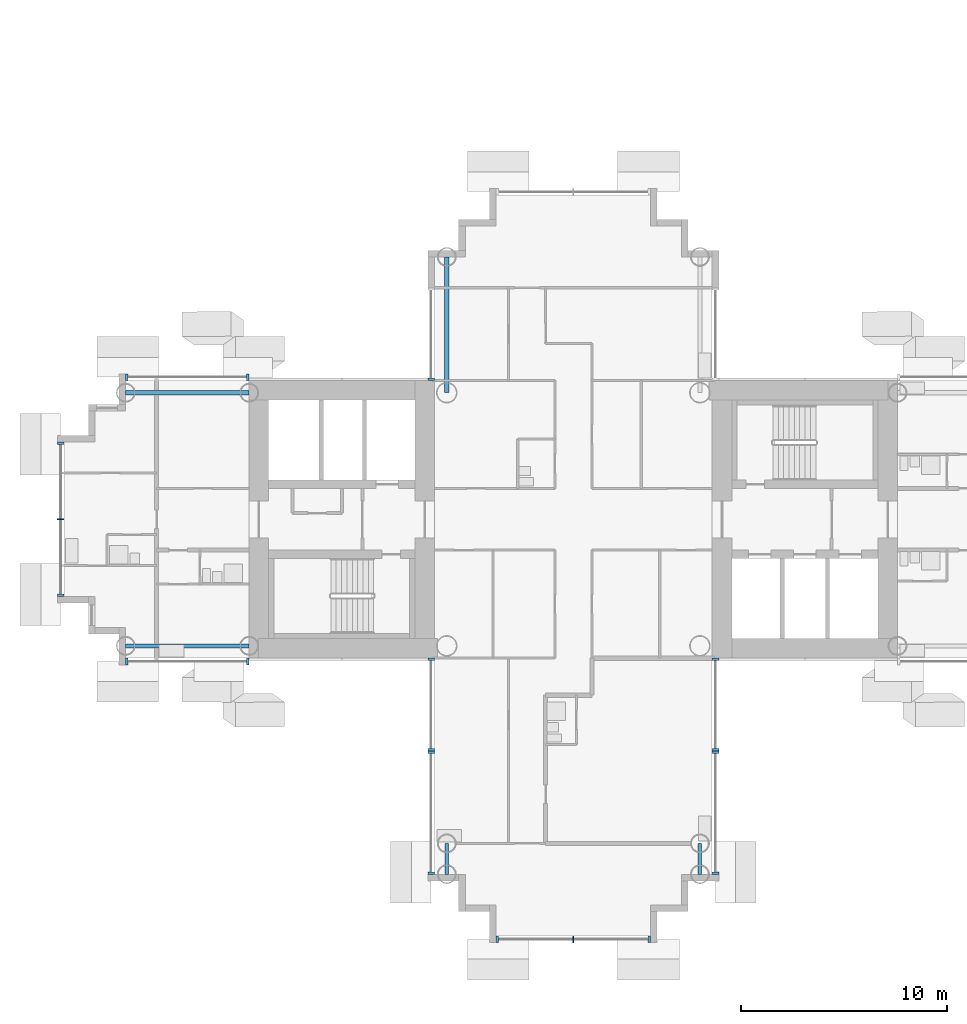
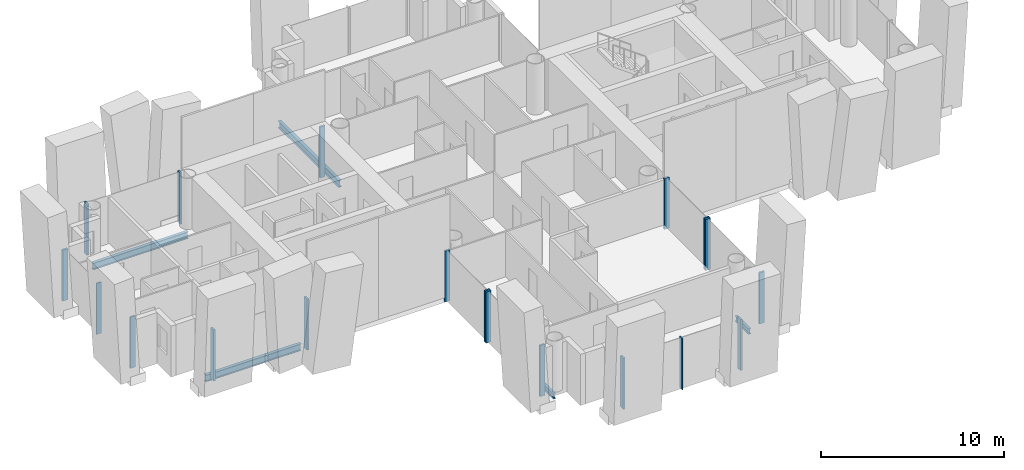
# One storey, part 3 of 21: 19 members, 5 beams, 9 elements without a shape of their own.
"""IFC4 building model written with IfcOpenShell, lengths in metres."""

from ifc_helpers import new_model, si_unit, direction, frame, origin, origin_2d, place, context, subcontext, project, spatial, rectangle, i_section, extrude, material, layer, layer_set, material_profile, profile_set, type_object, element, aggregate, save


model = new_model("IFC4")

# Units and contexts
model_context = context("Model", 3, precision=1e-05, world=origin(), true_north=direction((0.0, 1.0)))
body_context = subcontext(model_context, "Body", "Model", "MODEL_VIEW")
ifc_project = project(units=[si_unit("LENGTHUNIT", "METRE"), si_unit("AREAUNIT", "SQUARE_METRE"), si_unit("VOLUMEUNIT", "CUBIC_METRE"), si_unit("PLANEANGLEUNIT", "RADIAN"), si_unit("MASSUNIT", "GRAM", prefix="KILO")], contexts=[model_context])

# Site, building, storey
site_placement = place(None, origin())
site = spatial("IfcSite", under=ifc_project, at=site_placement, CompositionType="ELEMENT")
building_placement = place(site_placement, origin())
building = spatial("IfcBuilding", under=site, at=building_placement, Name="Ipe Terrace Towers", CompositionType="ELEMENT")
storey_placement = place(building_placement, frame((0.0, 0.0, 107.199951171875)))
storey = spatial("IfcBuildingStorey", under=building, at=storey_placement, Name="L29", CompositionType="ELEMENT", Elevation=107.199951171875)

# Beams
ifc_material_1 = material(Name="Steel S355", Category="steel")
ifc_material_profile_1 = material_profile(ifc_material_1, i_section(OverallWidth=0.175048828125, OverallDepth=0.35009765625, WebThickness=0.007080078125, FlangeThickness=0.010986328125, at=origin_2d()), Name="H-350x175x7x11")
ifc_profile_set_1 = profile_set([ifc_material_profile_1], Name="Steel S355")
beam_type_1 = type_object("IfcBeamType", Name="H04 EDGE BEAM H-350x175x7x11", PredefinedType="BEAM", material=ifc_profile_set_1)
for number, where, z_axis, x_axis, name in (
    (1, (-42.14990234375, -15.75, -0.574951171875), (0.0, -1.0, 0.0), (1.0, 0.0, 0.0), "Edge beam T1-EB-D03-D05"),
    (2, (-29.85009765625, -15.75, -0.574951171875), (0.0, -1.0, 0.0), (1.0, 0.0, 0.0), "Edge beam T1-EB-D04-D06"),
):
    element("IfcBeam", number, at=place(storey_placement, frame(where, z_axis=z_axis, x_axis=x_axis)), inside=storey, type_object=beam_type_1, Name=name, PredefinedType="BEAM", context=body_context, shape_type="SweptSolid", body=[
        extrude(i_section(OverallWidth=0.175048828125, OverallDepth=0.35009765625, WebThickness=0.007080078125, FlangeThickness=0.010986328125, at=origin_2d()), origin(), (0.0, 0.0, 1.0), 1.5),
    ])
ifc_material_2 = material(Name="Steel S355", Category="steel")
ifc_material_profile_2 = material_profile(ifc_material_2, i_section(OverallWidth=0.199951171875, OverallDepth=0.449951171875, WebThickness=0.009033203125, FlangeThickness=0.013916015625, at=origin_2d()), Name="H-450x200x9x14")
ifc_profile_set_2 = profile_set([ifc_material_profile_2], Name="Steel S355")
beam_type_2 = type_object("IfcBeamType", Name="H08 EDGE BEAM H-450x200x9x14", PredefinedType="BEAM", material=ifc_profile_set_2)
beam_placement = place(storey_placement, frame((-42.14990234375, 12.75, -0.625), z_axis=(0.0, -1.0, 0.0), x_axis=(1.0, 0.0, 0.0)))
element("IfcBeam", 3, at=beam_placement, inside=storey, type_object=beam_type_2, Name="Edge beam T1-EB-B02-E04", PredefinedType="BEAM", context=body_context, shape_type="SweptSolid", body=[
    extrude(i_section(OverallWidth=0.199951171875, OverallDepth=0.449951171875, WebThickness=0.009033203125, FlangeThickness=0.013916015625, at=origin_2d()), origin(), (0.0, 0.0, 1.0), 6.60009765625),
])
for number, where, z_axis, x_axis, name in (
    (4, (-51.75, -6.14990234375, -0.625), (-1.0, 0.0, 0.0), (0.0, -1.0, 0.0), "Edge beam T1-EB-C01-C03"),
    (5, (-51.75, 6.14990234375, -0.625), (-1.0, 0.0, 0.0), (0.0, -1.0, 0.0), "Edge beam T1-EB-C02-C04"),
):
    element("IfcBeam", number, at=place(storey_placement, frame(where, z_axis=z_axis, x_axis=x_axis)), inside=storey, type_object=beam_type_2, Name=name, PredefinedType="BEAM", context=body_context, shape_type="SweptSolid", body=[
        extrude(i_section(OverallWidth=0.199951171875, OverallDepth=0.449951171875, WebThickness=0.009033203125, FlangeThickness=0.013916015625, at=origin_2d()), origin(), (0.0, 0.0, 1.0), 6.0),
    ])

# Curtain wall, members
ifc_material_3 = material(Name="Aluminium alloy 6063-T6", Category="aluminium")
ifc_layer = layer(ifc_material_3, 0.320068359375)
ifc_layer_set = layer_set([ifc_layer], Name="TOWER UNITISED CURTAIN WALL")
curtain_wall_type = type_object("IfcCurtainWallType", Name="TOWER UNITISED CURTAIN WALL", PredefinedType="NOTDEFINED", material=ifc_layer_set)
curtain_wall_1_placement = place(storey_placement, origin())
curtain_wall_1 = element("IfcCurtainWall", 6, at=curtain_wall_1_placement, inside=storey, type_object=curtain_wall_type, Name="T1-CW-L29-04a curtain wall", PredefinedType="NOTDEFINED")
ifc_material_4 = material(Name="Aluminium alloy 6063-T6", Category="aluminium")
ifc_material_profile_3 = material_profile(ifc_material_4, rectangle(XDim=0.320068359375, YDim=0.1201171875, at=origin_2d()), Name="TOWER UNITISED CORNER MULLION 320 x 120")
ifc_profile_set_3 = profile_set([ifc_material_profile_3], Name="Aluminium alloy 6063-T6")
member_type_1 = type_object("IfcMemberType", Name="TOWER UNITISED CORNER MULLION 320 x 120", PredefinedType="MULLION", material=ifc_profile_set_3)
member_1_placement = place(storey_placement, frame((-57.68994140625, -6.909912109375, -0.300048828125), z_axis=(0.0, 0.0, 1.0), x_axis=(0.0, -1.0, 0.0)))
member_1 = element("IfcMember", 7, at=member_1_placement, type_object=member_type_1, Name="T1-CW-L29-04a mullion 1", PredefinedType="MULLION", context=body_context, shape_type="SweptSolid", body=[
    extrude(rectangle(XDim=0.320068359375, YDim=0.1201171875, at=origin_2d()), origin(), (0.0, 0.0, 1.0), 3.400146484375),
])
member_2_placement = place(storey_placement, frame((-51.81103515625, -6.909912109375, -0.300048828125), z_axis=(0.0, 0.0, 1.0), x_axis=(0.0, -1.0, 0.0)))
member_2 = element("IfcMember", 8, at=member_2_placement, type_object=member_type_1, Name="T1-CW-L29-04a mullion 2", PredefinedType="MULLION", context=body_context, shape_type="SweptSolid", body=[
    extrude(rectangle(XDim=0.320068359375, YDim=0.1201171875, at=origin_2d()), origin(), (0.0, 0.0, 1.0), 3.400146484375),
])
aggregate(curtain_wall_1, [member_1, member_2])

curtain_wall_2_placement = place(storey_placement, origin())
curtain_wall_2 = element("IfcCurtainWall", 9, at=curtain_wall_2_placement, inside=storey, type_object=curtain_wall_type, Name="T1-CW-L29-06a curtain wall", PredefinedType="NOTDEFINED")
member_3_placement = place(storey_placement, frame((-42.909912109375, -6.81005859375, -0.300048828125), z_axis=(0.0, 0.0, 1.0), x_axis=(-1.0, 0.0, 0.0)))
member_3 = element("IfcMember", 10, at=member_3_placement, type_object=member_type_1, Name="T1-CW-L29-06a mullion 1", PredefinedType="MULLION", context=body_context, shape_type="SweptSolid", body=[
    extrude(rectangle(XDim=0.320068359375, YDim=0.1201171875, at=origin_2d()), origin(), (0.0, 0.0, 1.0), 3.400146484375),
])
member_4_placement = place(storey_placement, frame((-42.909912109375, -11.18994140625, -0.300048828125), z_axis=(0.0, 0.0, 1.0), x_axis=(-1.0, 0.0, 0.0)))
member_4 = element("IfcMember", 11, at=member_4_placement, type_object=member_type_1, Name="T1-CW-L29-06a mullion 2", PredefinedType="MULLION", context=body_context, shape_type="SweptSolid", body=[
    extrude(rectangle(XDim=0.320068359375, YDim=0.1201171875, at=origin_2d()), origin(), (0.0, 0.0, 1.0), 3.400146484375),
])
aggregate(curtain_wall_2, [member_3, member_4])

curtain_wall_3_placement = place(storey_placement, origin())
curtain_wall_3 = element("IfcCurtainWall", 12, at=curtain_wall_3_placement, inside=storey, type_object=curtain_wall_type, Name="T1-CW-L29-07a curtain wall", PredefinedType="NOTDEFINED")
member_5_placement = place(storey_placement, frame((-42.909912109375, -11.31005859375, -0.300048828125), z_axis=(0.0, 0.0, 1.0), x_axis=(-1.0, 0.0, 0.0)))
member_5 = element("IfcMember", 13, at=member_5_placement, type_object=member_type_1, Name="T1-CW-L29-07a mullion 1", PredefinedType="MULLION", context=body_context, shape_type="SweptSolid", body=[
    extrude(rectangle(XDim=0.320068359375, YDim=0.1201171875, at=origin_2d()), origin(), (0.0, 0.0, 1.0), 3.400146484375),
])
member_6_placement = place(storey_placement, frame((-42.909912109375, -17.18994140625, -0.300048828125), z_axis=(0.0, 0.0, 1.0), x_axis=(-1.0, 0.0, 0.0)))
member_6 = element("IfcMember", 14, at=member_6_placement, type_object=member_type_1, Name="T1-CW-L29-07a mullion 2", PredefinedType="MULLION", context=body_context, shape_type="SweptSolid", body=[
    extrude(rectangle(XDim=0.320068359375, YDim=0.1201171875, at=origin_2d()), origin(), (0.0, 0.0, 1.0), 3.400146484375),
])
aggregate(curtain_wall_3, [member_5, member_6])

curtain_wall_4_placement = place(storey_placement, origin())
curtain_wall_4 = element("IfcCurtainWall", 15, at=curtain_wall_4_placement, inside=storey, type_object=curtain_wall_type, Name="T1-CW-L29-12a curtain wall", PredefinedType="NOTDEFINED")
member_7_placement = place(storey_placement, frame((-39.68994140625, -20.409912109375, -0.300048828125), z_axis=(0.0, 0.0, 1.0), x_axis=(0.0, -1.0, 0.0)))
member_7 = element("IfcMember", 16, at=member_7_placement, type_object=member_type_1, Name="T1-CW-L29-12a mullion 1", PredefinedType="MULLION", context=body_context, shape_type="SweptSolid", body=[
    extrude(rectangle(XDim=0.320068359375, YDim=0.1201171875, at=origin_2d()), origin(), (0.0, 0.0, 1.0), 3.400146484375),
])
member_8_placement = place(storey_placement, frame((-32.31005859375, -20.409912109375, -0.300048828125), z_axis=(0.0, 0.0, 1.0), x_axis=(0.0, -1.0, 0.0)))
member_8 = element("IfcMember", 17, at=member_8_placement, type_object=member_type_1, Name="T1-CW-L29-12a mullion 3", PredefinedType="MULLION", context=body_context, shape_type="SweptSolid", body=[
    extrude(rectangle(XDim=0.320068359375, YDim=0.1201171875, at=origin_2d()), origin(), (0.0, 0.0, 1.0), 3.400146484375),
])

curtain_wall_5_placement = place(storey_placement, origin())
curtain_wall_5 = element("IfcCurtainWall", 18, at=curtain_wall_5_placement, inside=storey, type_object=curtain_wall_type, Name="T1-CW-L29-17a curtain wall", PredefinedType="NOTDEFINED")
member_9_placement = place(storey_placement, frame((-29.090087890625, -17.18994140625, -0.300048828125), z_axis=(0.0, 0.0, 1.0), x_axis=(1.0, 0.0, 0.0)))
member_9 = element("IfcMember", 19, at=member_9_placement, type_object=member_type_1, Name="T1-CW-L29-17a mullion 1", PredefinedType="MULLION", context=body_context, shape_type="SweptSolid", body=[
    extrude(rectangle(XDim=0.320068359375, YDim=0.1201171875, at=origin_2d()), origin(), (0.0, 0.0, 1.0), 3.400146484375),
])
member_10_placement = place(storey_placement, frame((-29.090087890625, -11.31005859375, -0.300048828125), z_axis=(0.0, 0.0, 1.0), x_axis=(1.0, 0.0, 0.0)))
member_10 = element("IfcMember", 20, at=member_10_placement, type_object=member_type_1, Name="T1-CW-L29-17a mullion 2", PredefinedType="MULLION", context=body_context, shape_type="SweptSolid", body=[
    extrude(rectangle(XDim=0.320068359375, YDim=0.1201171875, at=origin_2d()), origin(), (0.0, 0.0, 1.0), 3.400146484375),
])
aggregate(curtain_wall_5, [member_9, member_10])

curtain_wall_6_placement = place(storey_placement, origin())
curtain_wall_6 = element("IfcCurtainWall", 21, at=curtain_wall_6_placement, inside=storey, type_object=curtain_wall_type, Name="T1-CW-L29-18a curtain wall", PredefinedType="NOTDEFINED")
member_11_placement = place(storey_placement, frame((-29.090087890625, -11.18994140625, -0.300048828125), z_axis=(0.0, 0.0, 1.0), x_axis=(1.0, 0.0, 0.0)))
member_11 = element("IfcMember", 22, at=member_11_placement, type_object=member_type_1, Name="T1-CW-L29-18a mullion 1", PredefinedType="MULLION", context=body_context, shape_type="SweptSolid", body=[
    extrude(rectangle(XDim=0.320068359375, YDim=0.1201171875, at=origin_2d()), origin(), (0.0, 0.0, 1.0), 3.400146484375),
])
member_12_placement = place(storey_placement, frame((-29.090087890625, -6.81005859375, -0.300048828125), z_axis=(0.0, 0.0, 1.0), x_axis=(1.0, 0.0, 0.0)))
member_12 = element("IfcMember", 23, at=member_12_placement, type_object=member_type_1, Name="T1-CW-L29-18a mullion 2", PredefinedType="MULLION", context=body_context, shape_type="SweptSolid", body=[
    extrude(rectangle(XDim=0.320068359375, YDim=0.1201171875, at=origin_2d()), origin(), (0.0, 0.0, 1.0), 3.400146484375),
])
aggregate(curtain_wall_6, [member_11, member_12])

# Curtain wall, member
curtain_wall_7_placement = place(storey_placement, origin())
curtain_wall_7 = element("IfcCurtainWall", 24, at=curtain_wall_7_placement, inside=storey, type_object=curtain_wall_type, Name="T1-CW-L29-44a curtain wall", PredefinedType="NOTDEFINED")
member_13_placement = place(storey_placement, frame((-42.909912109375, 6.81005859375, -0.300048828125), z_axis=(0.0, 0.0, 1.0), x_axis=(-1.0, 0.0, 0.0)))
member_13 = element("IfcMember", 25, at=member_13_placement, type_object=member_type_1, Name="T1-CW-L29-44a mullion 2", PredefinedType="MULLION", context=body_context, shape_type="SweptSolid", body=[
    extrude(rectangle(XDim=0.320068359375, YDim=0.1201171875, at=origin_2d()), origin(), (0.0, 0.0, 1.0), 3.400146484375),
])
aggregate(curtain_wall_7, [member_13])

# Curtain wall, members
curtain_wall_8_placement = place(storey_placement, origin())
curtain_wall_8 = element("IfcCurtainWall", 26, at=curtain_wall_8_placement, inside=storey, type_object=curtain_wall_type, Name="T1-CW-L29-46b curtain wall", PredefinedType="NOTDEFINED")
member_14_placement = place(storey_placement, frame((-51.81103515625, 6.909912109375, -0.300048828125), z_axis=(0.0, 0.0, 1.0), x_axis=(0.0, 1.0, 0.0)))
member_14 = element("IfcMember", 27, at=member_14_placement, type_object=member_type_1, Name="T1-CW-L29-46b mullion 1", PredefinedType="MULLION", context=body_context, shape_type="SweptSolid", body=[
    extrude(rectangle(XDim=0.320068359375, YDim=0.1201171875, at=origin_2d()), origin(), (0.0, 0.0, 1.0), 3.400146484375),
])
member_15_placement = place(storey_placement, frame((-57.68994140625, 6.909912109375, -0.300048828125), z_axis=(0.0, 0.0, 1.0), x_axis=(0.0, 1.0, 0.0)))
member_15 = element("IfcMember", 28, at=member_15_placement, type_object=member_type_1, Name="T1-CW-L29-46b mullion 2", PredefinedType="MULLION", context=body_context, shape_type="SweptSolid", body=[
    extrude(rectangle(XDim=0.320068359375, YDim=0.1201171875, at=origin_2d()), origin(), (0.0, 0.0, 1.0), 3.400146484375),
])
aggregate(curtain_wall_8, [member_14, member_15])

curtain_wall_9_placement = place(storey_placement, origin())
curtain_wall_9 = element("IfcCurtainWall", 29, at=curtain_wall_9_placement, inside=storey, type_object=curtain_wall_type, Name="T1-CW-L29-51a curtain wall", PredefinedType="NOTDEFINED")
member_16_placement = place(storey_placement, frame((-60.909912109375, 3.68994140625, -0.300048828125), z_axis=(0.0, 0.0, 1.0), x_axis=(-1.0, 0.0, 0.0)))
member_16 = element("IfcMember", 30, at=member_16_placement, type_object=member_type_1, Name="T1-CW-L29-51a mullion 1", PredefinedType="MULLION", context=body_context, shape_type="SweptSolid", body=[
    extrude(rectangle(XDim=0.320068359375, YDim=0.1201171875, at=origin_2d()), origin(), (0.0, 0.0, 1.0), 3.400146484375),
])
member_17_placement = place(storey_placement, frame((-60.909912109375, -3.68994140625, -0.300048828125), z_axis=(0.0, 0.0, 1.0), x_axis=(-1.0, 0.0, 0.0)))
member_17 = element("IfcMember", 31, at=member_17_placement, type_object=member_type_1, Name="T1-CW-L29-51a mullion 3", PredefinedType="MULLION", context=body_context, shape_type="SweptSolid", body=[
    extrude(rectangle(XDim=0.320068359375, YDim=0.1201171875, at=origin_2d()), origin(), (0.0, 0.0, 1.0), 3.400146484375),
])

# Member
ifc_material_5 = material(Name="Aluminium alloy 6063-T6", Category="aluminium")
ifc_material_profile_4 = material_profile(ifc_material_5, rectangle(XDim=0.320068359375, YDim=0.06494140625, at=origin_2d()), Name="TOWER UNITISED MULLION 320 x 65")
ifc_profile_set_4 = profile_set([ifc_material_profile_4], Name="Aluminium alloy 6063-T6")
member_type_2 = type_object("IfcMemberType", Name="TOWER UNITISED MULLION 320 x 65", PredefinedType="MULLION", material=ifc_profile_set_4)
member_18_placement = place(storey_placement, frame((-36.0, -20.409912109375, -0.300048828125), z_axis=(0.0, 0.0, 1.0), x_axis=(0.0, -1.0, 0.0)))
member_18 = element("IfcMember", 32, at=member_18_placement, type_object=member_type_2, Name="T1-CW-L29-12a mullion 2", PredefinedType="MULLION", context=body_context, shape_type="SweptSolid", body=[
    extrude(rectangle(XDim=0.320068359375, YDim=0.06494140625, at=origin_2d()), origin(), (0.0, 0.0, 1.0), 3.400146484375),
])

aggregate(curtain_wall_4, [member_7, member_18, member_8])

member_19_placement = place(storey_placement, frame((-60.909912109375, 0.0, -0.300048828125), z_axis=(0.0, 0.0, 1.0), x_axis=(-1.0, 0.0, 0.0)))
member_19 = element("IfcMember", 33, at=member_19_placement, type_object=member_type_2, Name="T1-CW-L29-51a mullion 2", PredefinedType="MULLION", context=body_context, shape_type="SweptSolid", body=[
    extrude(rectangle(XDim=0.320068359375, YDim=0.06494140625, at=origin_2d()), origin(), (0.0, 0.0, 1.0), 3.400146484375),
])

aggregate(curtain_wall_9, [member_16, member_19, member_17])

save(model, "model.ifc")
